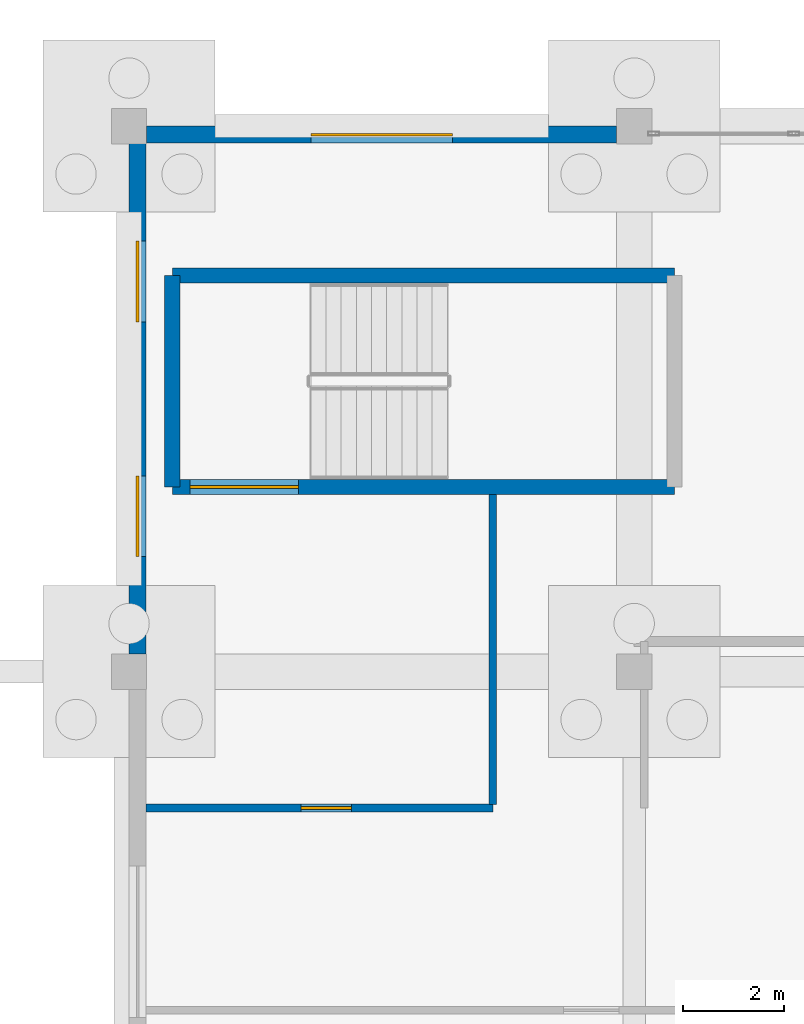
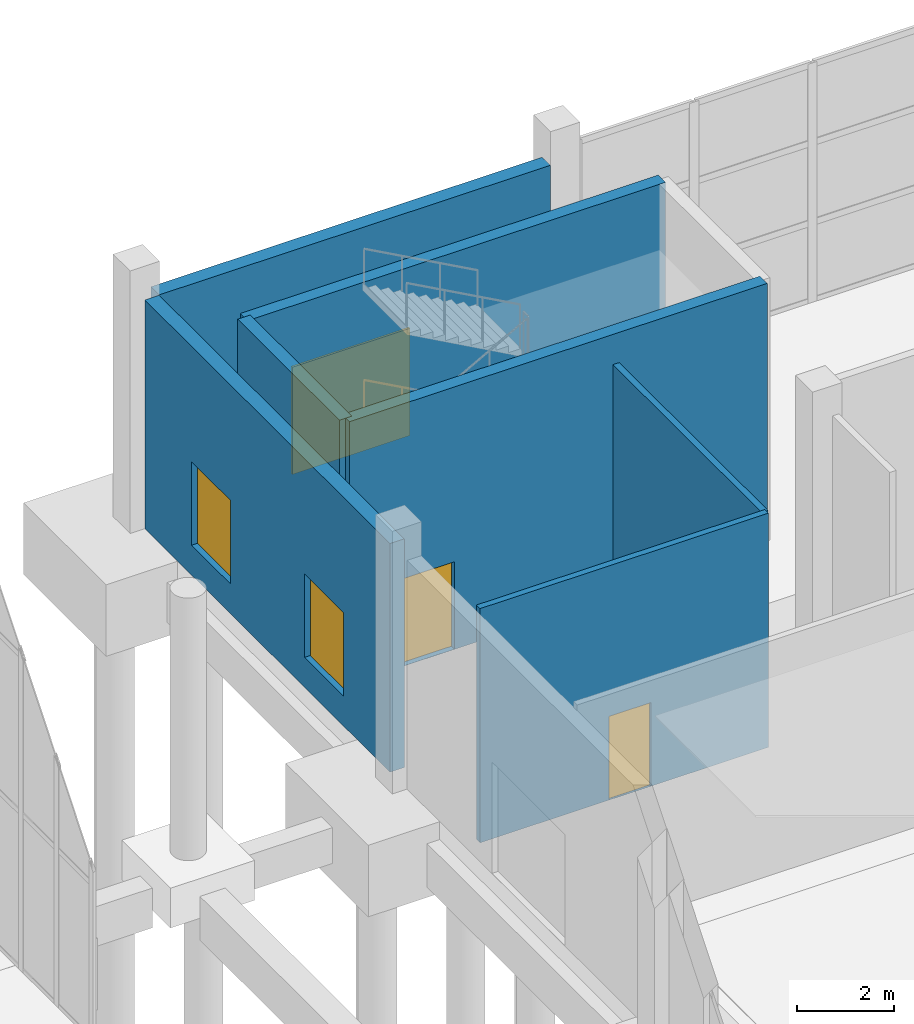
# One storey, part 91 of 115: 7 walls, 3 doors, 2 windows, 5 openings.
"""IFC4 building model written with IfcOpenShell, lengths in metres."""

from ifc_helpers import new_model, si_unit, direction, frame, frame_2d, origin, place, context, subcontext, project, spatial, rectangle, extrude, material, layer, layer_set, type_object, element, fill, save


model = new_model("IFC4")

# Units and contexts
model_context = context("Model", 3, precision=1e-05, world=origin(), true_north=direction((0.0, 1.0)))
body_context = subcontext(model_context, "Body", "Model", "MODEL_VIEW")
ifc_project = project(units=[si_unit("LENGTHUNIT", "METRE"), si_unit("AREAUNIT", "SQUARE_METRE"), si_unit("VOLUMEUNIT", "CUBIC_METRE"), si_unit("PLANEANGLEUNIT", "RADIAN"), si_unit("MASSUNIT", "GRAM", prefix="KILO")], contexts=[model_context])

# Site, building, storey
site_placement = place(None, origin())
site = spatial("IfcSite", under=ifc_project, at=site_placement, CompositionType="ELEMENT")
building_placement = place(site_placement, origin())
building = spatial("IfcBuilding", under=site, at=building_placement, Name="Tamarisk Ironworks Central Station", CompositionType="ELEMENT")
storey_placement = place(building_placement, origin())
storey = spatial("IfcBuildingStorey", under=building, at=storey_placement, Name="L00", CompositionType="ELEMENT", Elevation=0.0)

# Wall, opening, door
ifc_material_1 = material(Name="Clay facing brickwork and mortar", Category="masonry")
ifc_layer_1 = layer(ifc_material_1, 0.340087890625)
ifc_layer_set_1 = layer_set([ifc_layer_1], Name="Clay facing brickwork and mortar")
wall_type_1 = type_object("IfcWallType", Name="WL-BR340", PredefinedType="STANDARD", material=ifc_layer_set_1)
wall_1_placement = place(storey_placement, frame((118.347900390625, 122.22998046875, 0.0), z_axis=(0.0, 0.0, 1.0), x_axis=(1.0, 0.0, 0.0)))
wall_1 = element("IfcWall", 1, at=wall_1_placement, inside=storey, type_object=wall_type_1, Name="L00 brick facade wall 0042", PredefinedType="STANDARD", context=body_context, shape_type="SweptSolid", body=[
    extrude(rectangle(XDim=9.30419921875, YDim=0.340087890625, at=frame_2d((4.652099609375, 0.0))), origin(), (0.0, 0.0, 1.0), 5.75),
])
opening_1_placement = place(wall_1_placement, frame((3.251953125, 0.0, 0.0048828125)))
opening_1 = element("IfcOpeningElement", 2, at=opening_1_placement, cuts=wall_1, Name="Opening ED03", PredefinedType="OPENING", context=body_context, shape_type="SweptSolid", body=[
    extrude(rectangle(XDim=2.800048828125, YDim=2.699951171875, at=frame_2d((1.39990234375, 1.35009765625))), frame((0.0, 0.18212890625, 0.0), z_axis=(0.0, -1.0, 0.0), x_axis=(1.0, 0.0, 0.0)), (0.0, 0.0, 1.0), 0.364013671875),
])
ifc_material_2 = material(Name="Anodized aluminium alloy 6063-T6", Category="aluminium")
door_type_1 = type_object("IfcDoorType", Name="DR-ED03", OperationType="NOTDEFINED", PredefinedType="DOOR", material=ifc_material_2)
door_1_placement = place(opening_1_placement, origin())
door_1 = element("IfcDoor", 3, at=door_1_placement, inside=storey, type_object=door_type_1, Name="L00 exterior entrance door 0009", OperationType="DOUBLE_DOOR_SINGLE_SWING", OverallHeight=2.699951171875, OverallWidth=2.800048828125, PredefinedType="DOOR", context=body_context, shape_type="SweptSolid", body=[
    extrude(rectangle(XDim=2.800048828125, YDim=2.699951171875, at=frame_2d((1.39990234375, 1.35009765625))), frame((0.0, 0.02490234375, 0.0), z_axis=(0.0, -1.0, 0.0), x_axis=(1.0, 0.0, 0.0)), (0.0, 0.0, 1.0), 0.050048828125),
])
fill(opening_1, door_1)

# Wall, openings, windows
wall_2_placement = place(storey_placement, frame((118.169921875, 111.947998046875, 0.0), z_axis=(0.0, 0.0, 1.0), x_axis=(0.0, 1.0, 0.0)))
wall_2 = element("IfcWall", 4, at=wall_2_placement, inside=storey, type_object=wall_type_1, Name="L00 brick facade wall 0051", PredefinedType="STANDARD", context=body_context, shape_type="SweptSolid", body=[
    extrude(rectangle(XDim=10.10400390625, YDim=0.340087890625, at=frame_2d((5.052001953125, 0.0))), origin(), (0.0, 0.0, 1.0), 5.75),
])
opening_2_placement = place(wall_2_placement, frame((1.926025390625, 0.0, 0.75)))
opening_2 = element("IfcOpeningElement", 5, at=opening_2_placement, cuts=wall_2, Name="Opening W10", PredefinedType="OPENING", context=body_context, shape_type="SweptSolid", body=[
    extrude(rectangle(XDim=1.60009765625, YDim=2.10009765625, at=frame_2d((0.800048828125, 1.050048828125))), frame((0.0, 0.18212890625, 0.0), z_axis=(0.0, -1.0, 0.0), x_axis=(1.0, 0.0, 0.0)), (0.0, 0.0, 1.0), 0.364013671875),
])
opening_3_placement = place(wall_2_placement, frame((6.577880859375, 0.0, 0.75)))
opening_3 = element("IfcOpeningElement", 6, at=opening_3_placement, cuts=wall_2, Name="Opening W10", PredefinedType="OPENING", context=body_context, shape_type="SweptSolid", body=[
    extrude(rectangle(XDim=1.60009765625, YDim=2.10009765625, at=frame_2d((0.800048828125, 1.050048828125))), frame((0.0, 0.18212890625, 0.0), z_axis=(0.0, -1.0, 0.0), x_axis=(1.0, 0.0, 0.0)), (0.0, 0.0, 1.0), 0.364013671875),
])
ifc_material_3 = material(Name="Laminated solar-control low-E glass", Category="glass")
window_type = type_object("IfcWindowType", Name="WN-10", PartitioningType="SINGLE_PANEL", PredefinedType="WINDOW", material=ifc_material_3)
window_1_placement = place(opening_2_placement, origin())
window_1 = element("IfcWindow", 7, at=window_1_placement, inside=storey, type_object=window_type, Name="L00 exterior window 0070", OverallHeight=2.10009765625, OverallWidth=1.60009765625, PartitioningType="DOUBLE_PANEL_VERTICAL", PredefinedType="WINDOW", context=body_context, shape_type="SweptSolid", body=[
    extrude(rectangle(XDim=1.60009765625, YDim=2.10009765625, at=frame_2d((0.800048828125, 1.050048828125))), frame((0.0, 0.030029296875, 0.0), z_axis=(0.0, -1.0, 0.0), x_axis=(1.0, 0.0, 0.0)), (0.0, 0.0, 1.0), 0.06005859375),
])
fill(opening_2, window_1)
window_2_placement = place(opening_3_placement, origin())
window_2 = element("IfcWindow", 8, at=window_2_placement, inside=storey, type_object=window_type, Name="L00 exterior window 0071", OverallHeight=2.10009765625, OverallWidth=1.60009765625, PartitioningType="DOUBLE_PANEL_VERTICAL", PredefinedType="WINDOW", context=body_context, shape_type="SweptSolid", body=[
    extrude(rectangle(XDim=1.60009765625, YDim=2.10009765625, at=frame_2d((0.800048828125, 1.050048828125))), frame((0.0, 0.030029296875, 0.0), z_axis=(0.0, -1.0, 0.0), x_axis=(1.0, 0.0, 0.0)), (0.0, 0.0, 1.0), 0.06005859375),
])
fill(opening_3, window_2)

# Wall, opening, door
ifc_material_4 = material(Name="Concrete C50/60", Category="concrete")
ifc_layer_2 = layer(ifc_material_4, 0.300048828125)
ifc_layer_set_2 = layer_set([ifc_layer_2], Name="Concrete C50/60")
wall_type_2 = type_object("IfcWallType", Name="WL-CW300", PredefinedType="SOLIDWALL", material=ifc_layer_set_2)
wall_3_placement = place(storey_placement, frame((118.85498046875, 115.2548828125, 0.0), z_axis=(0.0, 0.0, 1.0), x_axis=(1.0, 0.0, 0.0)))
wall_3 = element("IfcWall", 9, at=wall_3_placement, inside=storey, type_object=wall_type_2, Name="ST-C5 core wall L (L00)", PredefinedType="SOLIDWALL", context=body_context, shape_type="SweptSolid", body=[
    extrude(rectangle(XDim=9.93994140625, YDim=0.300048828125, at=frame_2d((4.969970703125, 0.0))), origin(), (0.0, 0.0, 1.0), 6.60009765625),
])
opening_4_placement = place(wall_3_placement, frame((0.35009765625, 0.0, 0.0048828125)))
opening_4 = element("IfcOpeningElement", 10, at=opening_4_placement, cuts=wall_3, Name="Opening FD01", PredefinedType="OPENING", context=body_context, shape_type="SweptSolid", body=[
    extrude(rectangle(XDim=2.14990234375, YDim=2.199951171875, at=frame_2d((1.074951171875, 1.10009765625))), frame((0.0, 0.162109375, 0.0), z_axis=(0.0, -1.0, 0.0), x_axis=(1.0, 0.0, 0.0)), (0.0, 0.0, 1.0), 0.323974609375),
])
ifc_material_5 = material(Name="Galvanised hollow-metal door steel", Category="steel")
door_type_2 = type_object("IfcDoorType", Name="DR-FD01", OperationType="NOTDEFINED", PredefinedType="DOOR", material=ifc_material_5)
door_2_placement = place(opening_4_placement, origin())
door_2 = element("IfcDoor", 11, at=door_2_placement, inside=storey, type_object=door_type_2, Name="ST-C5 fire stair door (L00)", OperationType="SINGLE_SWING_LEFT", OverallHeight=2.199951171875, OverallWidth=2.14990234375, PredefinedType="DOOR", context=body_context, shape_type="SweptSolid", body=[
    extrude(rectangle(XDim=2.14990234375, YDim=2.199951171875, at=frame_2d((1.074951171875, 1.10009765625))), frame((0.0, 0.02490234375, 0.0), z_axis=(0.0, -1.0, 0.0), x_axis=(1.0, 0.0, 0.0)), (0.0, 0.0, 1.0), 0.050048828125),
])
fill(opening_4, door_2)

# Walls
wall_4_placement = place(storey_placement, frame((118.85498046875, 119.445068359375, 0.0), z_axis=(0.0, 0.0, 1.0), x_axis=(1.0, 0.0, 0.0)))
element("IfcWall", 12, at=wall_4_placement, inside=storey, type_object=wall_type_2, Name="ST-C5 core wall R (L00)", PredefinedType="SOLIDWALL", context=body_context, shape_type="SweptSolid", body=[
    extrude(rectangle(XDim=9.93994140625, YDim=0.300048828125, at=frame_2d((4.969970703125, 0.0))), origin(), (0.0, 0.0, 1.0), 6.60009765625),
])
wall_5_placement = place(storey_placement, frame((118.85498046875, 115.2548828125, 0.0), z_axis=(0.0, 0.0, 1.0), x_axis=(0.0, 1.0, 0.0)))
element("IfcWall", 13, at=wall_5_placement, inside=storey, type_object=wall_type_2, Name="ST-C5 core wall N (L00)", PredefinedType="SOLIDWALL", context=body_context, shape_type="SweptSolid", body=[
    extrude(rectangle(XDim=4.190185546875, YDim=0.300048828125, at=frame_2d((2.09521484375, 0.0))), origin(), (0.0, 0.0, 1.0), 6.60009765625),
])

# Wall, opening, door
ifc_material_6 = material(Name="Gypsum plasterboard acoustic partition")
ifc_layer_3 = layer(ifc_material_6, 0.14990234375)
ifc_layer_set_3 = layer_set([ifc_layer_3], Name="Gypsum plasterboard acoustic partition")
wall_type_3 = type_object("IfcWallType", Name="WL-PT150", PredefinedType="PARTITIONING", material=ifc_layer_set_3)
wall_6_placement = place(storey_placement, frame((118.337890625, 108.89990234375, 0.0), z_axis=(0.0, 0.0, 1.0), x_axis=(1.0, 0.0, 0.0)))
wall_6 = element("IfcWall", 14, at=wall_6_placement, inside=storey, type_object=wall_type_3, Name="L00 interior partition 0060", PredefinedType="PARTITIONING", context=body_context, shape_type="SweptSolid", body=[
    extrude(rectangle(XDim=6.862060546875, YDim=0.14990234375, at=frame_2d((3.43115234375, 0.0))), origin(), (0.0, 0.0, 1.0), 5.889892578125),
])
opening_5_placement = place(wall_6_placement, frame((3.06201171875, 0.0, 0.0048828125)))
opening_5 = element("IfcOpeningElement", 15, at=opening_5_placement, cuts=wall_6, Name="Opening D06", PredefinedType="OPENING", context=body_context, shape_type="SweptSolid", body=[
    extrude(rectangle(XDim=1.0, YDim=2.10009765625, at=frame_2d((0.5, 1.050048828125))), frame((0.0, 0.0869140625, 0.0), z_axis=(0.0, -1.0, 0.0), x_axis=(1.0, 0.0, 0.0)), (0.0, 0.0, 1.0), 0.173828125),
])
ifc_material_7 = material(Name="FSC certified tropical hardwood timber", Category="wood")
door_type_3 = type_object("IfcDoorType", Name="DR-ID06", OperationType="NOTDEFINED", PredefinedType="DOOR", material=ifc_material_7)
door_3_placement = place(opening_5_placement, origin())
door_3 = element("IfcDoor", 16, at=door_3_placement, inside=storey, type_object=door_type_3, Name="L00 room door 0047", OperationType="SINGLE_SWING_RIGHT", OverallHeight=2.10009765625, OverallWidth=1.0, PredefinedType="DOOR", context=body_context, shape_type="SweptSolid", body=[
    extrude(rectangle(XDim=1.0, YDim=2.10009765625, at=frame_2d((0.5, 1.050048828125))), frame((0.0, 0.02490234375, 0.0), z_axis=(0.0, -1.0, 0.0), x_axis=(1.0, 0.0, 0.0)), (0.0, 0.0, 1.0), 0.050048828125),
])
fill(opening_5, door_3)

# Wall
wall_7_placement = place(storey_placement, frame((125.199951171875, 108.972900390625, 0.0), z_axis=(0.0, 0.0, 1.0), x_axis=(0.0, 1.0, 0.0)))
element("IfcWall", 17, at=wall_7_placement, inside=storey, type_object=wall_type_3, Name="L00 interior partition 0061", PredefinedType="PARTITIONING", context=body_context, shape_type="SweptSolid", body=[
    extrude(rectangle(XDim=6.134033203125, YDim=0.14990234375, at=frame_2d((3.06689453125, 0.0))), origin(), (0.0, 0.0, 1.0), 5.840087890625),
])

save(model, "model.ifc")
